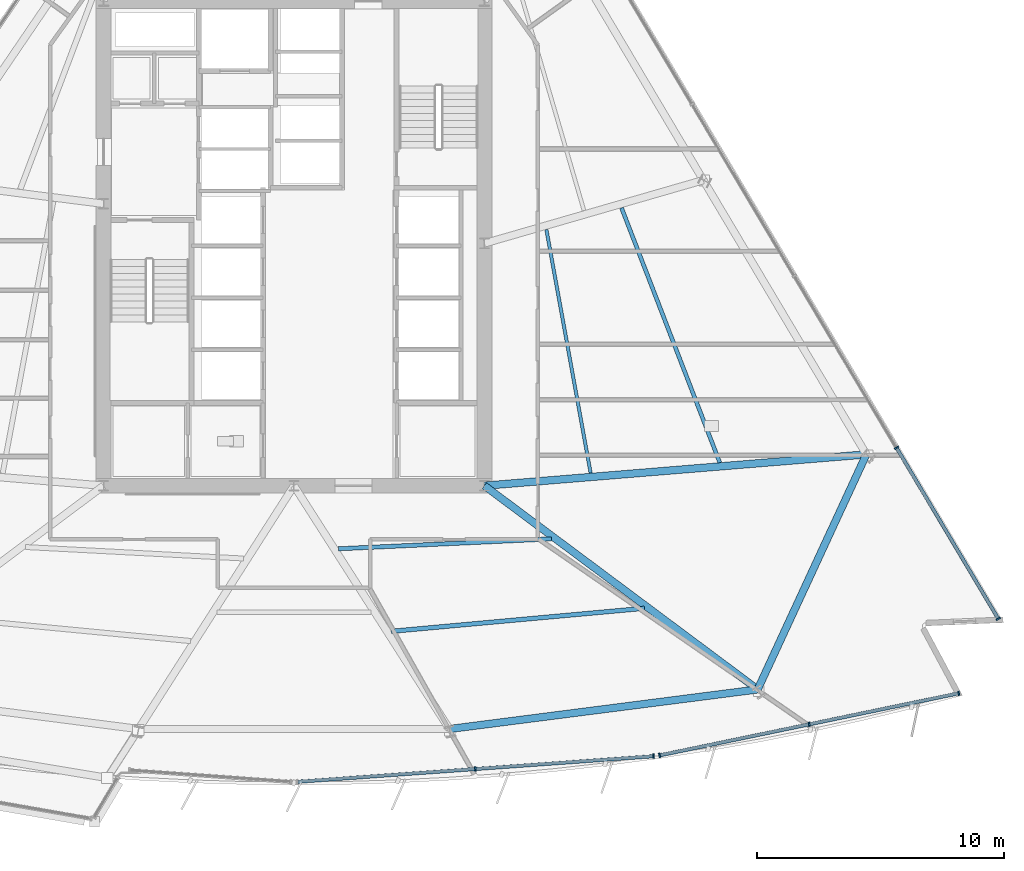
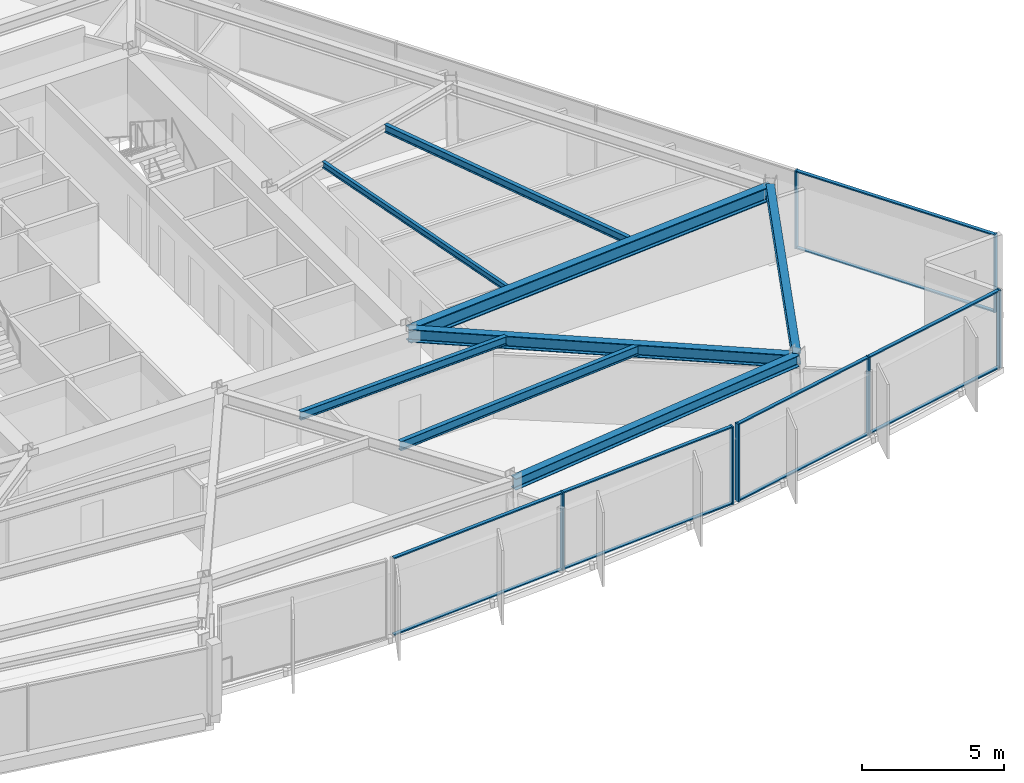
# One storey, part 4 of 15: 17 members, 8 beams, 3 elements without a shape of their own.
"""IFC4 building model written with IfcOpenShell, lengths in metres."""

from ifc_helpers import new_model, si_unit, direction, frame, origin, origin_2d, place, context, subcontext, project, spatial, rectangle, i_section, extrude, material, material_profile, profile_set, type_object, element, aggregate, save


model = new_model("IFC4")

# Units and contexts
model_context = context("Model", 3, precision=1e-05, world=origin(), true_north=direction((0.0, 1.0)))
body_context = subcontext(model_context, "Body", "Model", "MODEL_VIEW")
ifc_project = project(units=[si_unit("LENGTHUNIT", "METRE"), si_unit("AREAUNIT", "SQUARE_METRE"), si_unit("VOLUMEUNIT", "CUBIC_METRE"), si_unit("PLANEANGLEUNIT", "RADIAN"), si_unit("MASSUNIT", "GRAM", prefix="KILO")], contexts=[model_context])

# Site, building, storey
site_placement = place(None, origin())
site = spatial("IfcSite", under=ifc_project, at=site_placement, CompositionType="ELEMENT")
building_placement = place(site_placement, origin())
building = spatial("IfcBuilding", under=site, at=building_placement, Name="Savorim Split Tower", CompositionType="ELEMENT")
storey_placement = place(building_placement, frame((0.0, 0.0, 104.10009765625)))
storey = spatial("IfcBuildingStorey", under=building, at=storey_placement, Name="L27", CompositionType="ELEMENT", Elevation=104.10009765625)

# Beams
ifc_material_1 = material(Name="Steel S355", Category="steel")
ifc_material_profile_1 = material_profile(ifc_material_1, i_section(OverallWidth=0.135009765625, OverallDepth=0.27001953125, WebThickness=0.006591796875, FlangeThickness=0.01025390625, FilletRadius=0.014892578125, at=origin_2d()), Name="IPE 270")
ifc_profile_set_1 = profile_set([ifc_material_profile_1], Name="Steel S355")
beam_type_1 = type_object("IfcBeamType", Name="BM-JST-IPE270", PredefinedType="JOIST", material=ifc_profile_set_1)
beam_1_placement = place(storey_placement, frame((11.99658203125, -8.887939453125, 3.21484375), z_axis=(-0.178812449052, 0.983883178057, 0.0), x_axis=(-0.983883178057, -0.178812449052, 0.0)))
element("IfcBeam", 1, at=beam_1_placement, inside=storey, type_object=beam_type_1, Name="L27 Secondary Floor Joist JS-08", PredefinedType="JOIST", context=body_context, shape_type="SweptSolid", body=[
    extrude(i_section(OverallWidth=0.135009765625, OverallDepth=0.27001953125, WebThickness=0.006591796875, FlangeThickness=0.01025390625, FilletRadius=0.014892578125, at=origin_2d()), origin(), (0.0, 0.0, 1.0), 10.008056640625),
])
ifc_material_profile_2 = material_profile(ifc_material_1, i_section(OverallWidth=0.159912109375, OverallDepth=0.330078125, WebThickness=0.007568359375, FlangeThickness=0.011474609375, FilletRadius=0.01806640625, at=origin_2d()), Name="IPE 330")
ifc_profile_set_2 = profile_set([ifc_material_profile_2], Name="Steel S355")
beam_type_2 = type_object("IfcBeamType", Name="BM-JST-IPE330", PredefinedType="JOIST", material=ifc_profile_set_2)
beam_2_placement = place(storey_placement, frame((17.219482421875, -8.465576171875, 3.184814453125), z_axis=(-0.359891590065, 0.932994128278, 0.0), x_axis=(-0.932994128278, -0.359891590065, 0.0)))
element("IfcBeam", 2, at=beam_2_placement, inside=storey, type_object=beam_type_2, Name="L27 Secondary Floor Joist JS-06", PredefinedType="JOIST", context=body_context, shape_type="SweptSolid", body=[
    extrude(i_section(OverallWidth=0.159912109375, OverallDepth=0.330078125, WebThickness=0.007568359375, FlangeThickness=0.011474609375, FilletRadius=0.01806640625, at=origin_2d()), origin(), (0.0, 0.0, 1.0), 11.0419921875),
])
ifc_material_profile_3 = material_profile(ifc_material_1, i_section(OverallWidth=0.169921875, OverallDepth=0.360107421875, WebThickness=0.008056640625, FlangeThickness=0.0126953125, FilletRadius=0.01806640625, at=origin_2d()), Name="IPE 360")
ifc_profile_set_3 = profile_set([ifc_material_profile_3], Name="Steel S355")
beam_type_3 = type_object("IfcBeamType", Name="BM-JST-IPE360", PredefinedType="JOIST", material=ifc_profile_set_3)
beam_3_placement = place(storey_placement, frame((1.793701171875, -11.95068359375, 3.169921875), z_axis=(0.998917702895, 0.046512609498, 0.0), x_axis=(-0.046512609498, 0.998917702895, 0.0)))
element("IfcBeam", 3, at=beam_3_placement, inside=storey, type_object=beam_type_3, Name="L27 Secondary Floor Joist JS-05", PredefinedType="JOIST", context=body_context, shape_type="SweptSolid", body=[
    extrude(i_section(OverallWidth=0.169921875, OverallDepth=0.360107421875, WebThickness=0.008056640625, FlangeThickness=0.0126953125, FilletRadius=0.01806640625, at=origin_2d()), origin(), (0.0, 0.0, 1.0), 8.629150390625),
])
ifc_material_profile_4 = material_profile(ifc_material_1, i_section(OverallWidth=0.179931640625, OverallDepth=0.39990234375, WebThickness=0.008544921875, FlangeThickness=0.013427734375, FilletRadius=0.02099609375, at=origin_2d()), Name="IPE 400")
ifc_profile_set_4 = profile_set([ifc_material_profile_4], Name="Steel S355")
beam_type_4 = type_object("IfcBeamType", Name="BM-JST-IPE400", PredefinedType="JOIST", material=ifc_profile_set_4)
beam_4_placement = place(storey_placement, frame((3.929931640625, -15.288818359375, 3.14990234375), z_axis=(0.995887950758, 0.090593540253, 0.0), x_axis=(-0.090593540253, 0.995887950758, 0.0)))
element("IfcBeam", 4, at=beam_4_placement, inside=storey, type_object=beam_type_4, Name="L27 Secondary Floor Joist JS-04", PredefinedType="JOIST", context=body_context, shape_type="SweptSolid", body=[
    extrude(i_section(OverallWidth=0.179931640625, OverallDepth=0.39990234375, WebThickness=0.008544921875, FlangeThickness=0.013427734375, FilletRadius=0.02099609375, at=origin_2d()), origin(), (0.0, 0.0, 1.0), 10.28369140625),
])
ifc_material_profile_5 = material_profile(ifc_material_1, i_section(OverallWidth=0.300048828125, OverallDepth=0.550048828125, WebThickness=0.014892578125, FlangeThickness=0.029052734375, FilletRadius=0.027099609375, at=origin_2d()), Name="HEB 550")
ifc_profile_set_5 = profile_set([ifc_material_profile_5], Name="Steel S355")
beam_type_5 = type_object("IfcBeamType", Name="BM-PRI-HEB550", PredefinedType="BEAM", material=ifc_profile_set_5)
beam_5_placement = place(storey_placement, frame((18.751220703125, -17.637939453125, 3.074951171875), z_axis=(-0.801752190532, 0.597656611256, 0.0), x_axis=(-0.597656611256, -0.801752190532, 0.0)))
element("IfcBeam", 5, at=beam_5_placement, inside=storey, type_object=beam_type_5, Name="L27 Primary Floor Girder RG-04", PredefinedType="BEAM", context=body_context, shape_type="SweptSolid", body=[
    extrude(i_section(OverallWidth=0.300048828125, OverallDepth=0.550048828125, WebThickness=0.014892578125, FlangeThickness=0.029052734375, FilletRadius=0.027099609375, at=origin_2d()), origin(), (0.0, 0.0, 1.0), 13.783935546875),
])
ifc_material_2 = material(Name="Steel S460", Category="steel")
ifc_material_profile_6 = material_profile(ifc_material_2, i_section(OverallWidth=0.304931640625, OverallDepth=0.6201171875, WebThickness=0.02099609375, FlangeThickness=0.0400390625, FilletRadius=0.027099609375, at=origin_2d()), Name="HE 600 M")
ifc_profile_set_6 = profile_set([ifc_material_profile_6], Name="Steel S460")
beam_type_6 = type_object("IfcBeamType", Name="BM-PRI-HEM600", PredefinedType="BEAM", material=ifc_profile_set_6)
beam_6_placement = place(storey_placement, frame((23.146728515625, -8.1337890625, 3.039794921875), z_axis=(-0.996657605335, -0.081692213391, 0.0), x_axis=(0.081692213391, -0.996657605335, 0.0)))
element("IfcBeam", 6, at=beam_6_placement, inside=storey, type_object=beam_type_6, Name="L27 Primary Floor Girder RG-05", PredefinedType="BEAM", context=body_context, shape_type="SweptSolid", body=[
    extrude(i_section(OverallWidth=0.304931640625, OverallDepth=0.6201171875, WebThickness=0.02099609375, FlangeThickness=0.0400390625, FilletRadius=0.027099609375, at=origin_2d()), origin(), (0.0, 0.0, 1.0), 15.49853515625),
])
ifc_material_profile_7 = material_profile(ifc_material_1, i_section(OverallWidth=0.300048828125, OverallDepth=0.489990234375, WebThickness=0.011962890625, FlangeThickness=0.02294921875, FilletRadius=0.027099609375, at=origin_2d()), Name="HEA 500")
ifc_profile_set_7 = profile_set([ifc_material_profile_7], Name="Steel S355")
beam_type_7 = type_object("IfcBeamType", Name="BM-SPN-HEA500", PredefinedType="SPANDREL", material=ifc_profile_set_7)
beam_7_placement = place(storey_placement, frame((6.284423828125, -19.238525390625, 3.10498046875), z_axis=(0.991858782297, 0.127342671486, 0.0), x_axis=(-0.127342671486, 0.991858782297, 0.0)))
element("IfcBeam", 7, at=beam_7_placement, inside=storey, type_object=beam_type_7, Name="L27 Perimeter Spandrel Beam 3", PredefinedType="SPANDREL", context=body_context, shape_type="SweptSolid", body=[
    extrude(i_section(OverallWidth=0.300048828125, OverallDepth=0.489990234375, WebThickness=0.011962890625, FlangeThickness=0.02294921875, FilletRadius=0.027099609375, at=origin_2d()), origin(), (0.0, 0.0, 1.0), 12.569091796875),
])
beam_8_placement = place(storey_placement, frame((18.751220703125, -17.637939453125, 3.10498046875), z_axis=(0.419764781907, 0.907632925731, 0.0), x_axis=(-0.907632925731, 0.419764781907, 0.0)))
element("IfcBeam", 8, at=beam_8_placement, inside=storey, type_object=beam_type_7, Name="L27 Perimeter Spandrel Beam 4", PredefinedType="SPANDREL", context=body_context, shape_type="SweptSolid", body=[
    extrude(i_section(OverallWidth=0.300048828125, OverallDepth=0.489990234375, WebThickness=0.011962890625, FlangeThickness=0.02294921875, FilletRadius=0.027099609375, at=origin_2d()), origin(), (0.0, 0.0, 1.0), 10.471435546875),
])

# Curtain wall, members
ifc_material_3 = material(Name="Dark Ceramic-Fritted Insulated Glass", Category="glass")
curtain_wall_type = type_object("IfcCurtainWallType", Name="CW-TWR-FRIT-A", PredefinedType="NOTDEFINED", material=ifc_material_3)
curtain_wall_1_placement = place(storey_placement, origin())
curtain_wall_1 = element("IfcCurtainWall", 9, at=curtain_wall_1_placement, inside=storey, type_object=curtain_wall_type, Name="L27 Curtain Wall CW-L27-SF3A", PredefinedType="NOTDEFINED")
ifc_material_4 = material(Name="Charcoal Anodised Aluminium", Category="aluminium")
ifc_material_profile_8 = material_profile(ifc_material_4, rectangle(XDim=0.179931640625, YDim=0.06494140625, at=origin_2d()), Name="ALU-M 180x65")
ifc_profile_set_8 = profile_set([ifc_material_profile_8], Name="Charcoal Anodised Aluminium")
member_type_1 = type_object("IfcMemberType", Name="CWM-180x65", PredefinedType="MULLION", material=ifc_profile_set_8)
member_1_placement = place(storey_placement, frame((7.33203125, -20.8544921875, 0.0), z_axis=(0.0, 0.0, 1.0), x_axis=(-0.071562268211, 0.99743613418, 0.0)))
member_1 = element("IfcMember", 10, at=member_1_placement, type_object=member_type_1, Name="CW-02 mullion 2", PredefinedType="MULLION", context=body_context, shape_type="SweptSolid", body=[
    extrude(rectangle(XDim=0.179931640625, YDim=0.06494140625, at=origin_2d()), origin(), (0.0, 0.0, 1.0), 3.349853515625),
])
member_2_placement = place(storey_placement, frame((14.540283203125, -20.33740234375, 0.0), z_axis=(0.0, 0.0, 1.0), x_axis=(-0.071562268211, 0.99743613418, 0.0)))
member_2 = element("IfcMember", 11, at=member_2_placement, type_object=member_type_1, Name="CW-02 mullion 3", PredefinedType="MULLION", context=body_context, shape_type="SweptSolid", body=[
    extrude(rectangle(XDim=0.179931640625, YDim=0.06494140625, at=origin_2d()), origin(), (0.0, 0.0, 1.0), 3.349853515625),
])

curtain_wall_2_placement = place(storey_placement, origin())
curtain_wall_2 = element("IfcCurtainWall", 12, at=curtain_wall_2_placement, inside=storey, type_object=curtain_wall_type, Name="L27 Curtain Wall CW-L27-SF4A", PredefinedType="NOTDEFINED")
member_3_placement = place(storey_placement, frame((14.786376953125, -20.302978515625, 0.0), z_axis=(0.0, 0.0, 1.0), x_axis=(-0.203212378529, 0.979134683898, 0.0)))
member_3 = element("IfcMember", 13, at=member_3_placement, type_object=member_type_1, Name="CW-02 mullion 1", PredefinedType="MULLION", context=body_context, shape_type="SweptSolid", body=[
    extrude(rectangle(XDim=0.179931640625, YDim=0.06494140625, at=origin_2d()), origin(), (0.0, 0.0, 1.0), 3.349853515625),
])
member_4_placement = place(storey_placement, frame((20.83447265625, -19.0478515625, 0.0), z_axis=(0.0, 0.0, 1.0), x_axis=(-0.203212378529, 0.979134683898, 0.0)))
member_4 = element("IfcMember", 14, at=member_4_placement, type_object=member_type_1, Name="CW-02 mullion 2", PredefinedType="MULLION", context=body_context, shape_type="SweptSolid", body=[
    extrude(rectangle(XDim=0.179931640625, YDim=0.06494140625, at=origin_2d()), origin(), (0.0, 0.0, 1.0), 3.349853515625),
])
member_5_placement = place(storey_placement, frame((26.882568359375, -17.792724609375, 0.0), z_axis=(0.0, 0.0, 1.0), x_axis=(-0.203212378529, 0.979134683898, 0.0)))
member_5 = element("IfcMember", 15, at=member_5_placement, type_object=member_type_1, Name="CW-02 mullion 3", PredefinedType="MULLION", context=body_context, shape_type="SweptSolid", body=[
    extrude(rectangle(XDim=0.179931640625, YDim=0.06494140625, at=origin_2d()), origin(), (0.0, 0.0, 1.0), 3.349853515625),
])

curtain_wall_3_placement = place(storey_placement, origin())
curtain_wall_3 = element("IfcCurtainWall", 16, at=curtain_wall_3_placement, inside=storey, type_object=curtain_wall_type, Name="L27 Curtain Wall CW-L27-EAST", PredefinedType="NOTDEFINED")
member_6_placement = place(storey_placement, frame((28.480224609375, -14.78173828125, 0.0), z_axis=(0.0, 0.0, 1.0), x_axis=(-0.859524537852, -0.511094481315, 0.0)))
member_6 = element("IfcMember", 17, at=member_6_placement, type_object=member_type_1, Name="CW-02 mullion 1", PredefinedType="MULLION", context=body_context, shape_type="SweptSolid", body=[
    extrude(rectangle(XDim=0.179931640625, YDim=0.06494140625, at=origin_2d()), origin(), (0.0, 0.0, 1.0), 3.349853515625),
])
member_7_placement = place(storey_placement, frame((24.36669921875, -7.864013671875, 0.0), z_axis=(0.0, 0.0, 1.0), x_axis=(-0.859524537852, -0.511094481315, 0.0)))
member_7 = element("IfcMember", 18, at=member_7_placement, type_object=member_type_1, Name="CW-02 mullion 2", PredefinedType="MULLION", context=body_context, shape_type="SweptSolid", body=[
    extrude(rectangle(XDim=0.179931640625, YDim=0.06494140625, at=origin_2d()), origin(), (0.0, 0.0, 1.0), 3.349853515625),
])

# Member
ifc_material_profile_9 = material_profile(ifc_material_4, rectangle(XDim=0.139892578125, YDim=0.054931640625, at=origin_2d()), Name="ALU-T 140x55")
ifc_profile_set_9 = profile_set([ifc_material_profile_9], Name="Charcoal Anodised Aluminium")
member_type_2 = type_object("IfcMemberType", Name="CWT-140x55", PredefinedType="USERDEFINED", material=ifc_profile_set_9)
member_8_placement = place(storey_placement, frame((0.156005859375, -21.369384765625, 0.02734375), z_axis=(0.997436850168, 0.071552288055, 0.0), x_axis=(-0.071552288055, 0.997436850168, 0.0)))
member_8 = element("IfcMember", 19, at=member_8_placement, type_object=member_type_2, Name="CW-02 transom 1.1", ObjectType="TRANSOM", PredefinedType="USERDEFINED", context=body_context, shape_type="SweptSolid", body=[
    extrude(rectangle(XDim=0.139892578125, YDim=0.054931640625, at=origin_2d()), origin(), (0.0, 0.0, 1.0), 7.161865234375),
])

member_9_placement = place(storey_placement, frame((0.156005859375, -21.369384765625, 3.322509765625), z_axis=(0.997436850168, 0.071552288055, 0.0), x_axis=(-0.071552288055, 0.997436850168, 0.0)))
member_9 = element("IfcMember", 20, at=member_9_placement, type_object=member_type_2, Name="CW-02 transom 1.2", ObjectType="TRANSOM", PredefinedType="USERDEFINED", context=body_context, shape_type="SweptSolid", body=[
    extrude(rectangle(XDim=0.139892578125, YDim=0.054931640625, at=origin_2d()), origin(), (0.0, 0.0, 1.0), 7.161865234375),
])

member_10_placement = place(storey_placement, frame((7.364501953125, -20.852294921875, 0.02734375), z_axis=(0.997434416722, 0.071586202157, 0.0), x_axis=(-0.071586202157, 0.997434416722, 0.0)))
member_10 = element("IfcMember", 21, at=member_10_placement, type_object=member_type_2, Name="CW-02 transom 2.1", ObjectType="TRANSOM", PredefinedType="USERDEFINED", context=body_context, shape_type="SweptSolid", body=[
    extrude(rectangle(XDim=0.139892578125, YDim=0.054931640625, at=origin_2d()), origin(), (0.0, 0.0, 1.0), 7.161865234375),
])

member_11_placement = place(storey_placement, frame((7.364501953125, -20.852294921875, 3.322509765625), z_axis=(0.997434416722, 0.071586202157, 0.0), x_axis=(-0.071586202157, 0.997434416722, 0.0)))
member_11 = element("IfcMember", 22, at=member_11_placement, type_object=member_type_2, Name="CW-02 transom 2.2", ObjectType="TRANSOM", PredefinedType="USERDEFINED", context=body_context, shape_type="SweptSolid", body=[
    extrude(rectangle(XDim=0.139892578125, YDim=0.054931640625, at=origin_2d()), origin(), (0.0, 0.0, 1.0), 7.161865234375),
])

aggregate(curtain_wall_1, [member_1, member_2, member_8, member_9, member_10, member_11])

member_12_placement = place(storey_placement, frame((14.818359375, -20.29638671875, 0.02734375), z_axis=(0.979136986613, 0.203201283082, 0.0), x_axis=(-0.203201283082, 0.979136986613, 0.0)))
member_12 = element("IfcMember", 23, at=member_12_placement, type_object=member_type_2, Name="CW-02 transom 1.1", ObjectType="TRANSOM", PredefinedType="USERDEFINED", context=body_context, shape_type="SweptSolid", body=[
    extrude(rectangle(XDim=0.139892578125, YDim=0.054931640625, at=origin_2d()), origin(), (0.0, 0.0, 1.0), 6.11181640625),
])

member_13_placement = place(storey_placement, frame((14.818359375, -20.29638671875, 3.322509765625), z_axis=(0.979136986613, 0.203201283082, 0.0), x_axis=(-0.203201283082, 0.979136986613, 0.0)))
member_13 = element("IfcMember", 24, at=member_13_placement, type_object=member_type_2, Name="CW-02 transom 1.2", ObjectType="TRANSOM", PredefinedType="USERDEFINED", context=body_context, shape_type="SweptSolid", body=[
    extrude(rectangle(XDim=0.139892578125, YDim=0.054931640625, at=origin_2d()), origin(), (0.0, 0.0, 1.0), 6.11181640625),
])

member_14_placement = place(storey_placement, frame((20.866455078125, -19.041259765625, 0.02734375), z_axis=(0.979136986613, 0.203201283082, 0.0), x_axis=(-0.203201283082, 0.979136986613, 0.0)))
member_14 = element("IfcMember", 25, at=member_14_placement, type_object=member_type_2, Name="CW-02 transom 2.1", ObjectType="TRANSOM", PredefinedType="USERDEFINED", context=body_context, shape_type="SweptSolid", body=[
    extrude(rectangle(XDim=0.139892578125, YDim=0.054931640625, at=origin_2d()), origin(), (0.0, 0.0, 1.0), 6.11181640625),
])

member_15_placement = place(storey_placement, frame((20.866455078125, -19.041259765625, 3.322509765625), z_axis=(0.979136986613, 0.203201283082, 0.0), x_axis=(-0.203201283082, 0.979136986613, 0.0)))
member_15 = element("IfcMember", 26, at=member_15_placement, type_object=member_type_2, Name="CW-02 transom 2.2", ObjectType="TRANSOM", PredefinedType="USERDEFINED", context=body_context, shape_type="SweptSolid", body=[
    extrude(rectangle(XDim=0.139892578125, YDim=0.054931640625, at=origin_2d()), origin(), (0.0, 0.0, 1.0), 6.11181640625),
])

aggregate(curtain_wall_2, [member_3, member_4, member_5, member_12, member_13, member_14, member_15])

member_16_placement = place(storey_placement, frame((28.463623046875, -14.753662109375, 0.02734375), z_axis=(-0.511105313723, 0.859518096542, 0.0), x_axis=(-0.859518096542, -0.511105313723, 0.0)))
member_16 = element("IfcMember", 27, at=member_16_placement, type_object=member_type_2, Name="CW-02 transom 1.1", ObjectType="TRANSOM", PredefinedType="USERDEFINED", context=body_context, shape_type="SweptSolid", body=[
    extrude(rectangle(XDim=0.139892578125, YDim=0.054931640625, at=origin_2d()), origin(), (0.0, 0.0, 1.0), 7.9833984375),
])

member_17_placement = place(storey_placement, frame((28.463623046875, -14.753662109375, 3.322509765625), z_axis=(-0.511105313723, 0.859518096542, 0.0), x_axis=(-0.859518096542, -0.511105313723, 0.0)))
member_17 = element("IfcMember", 28, at=member_17_placement, type_object=member_type_2, Name="CW-02 transom 1.2", ObjectType="TRANSOM", PredefinedType="USERDEFINED", context=body_context, shape_type="SweptSolid", body=[
    extrude(rectangle(XDim=0.139892578125, YDim=0.054931640625, at=origin_2d()), origin(), (0.0, 0.0, 1.0), 7.9833984375),
])

aggregate(curtain_wall_3, [member_6, member_7, member_16, member_17])

save(model, "model.ifc")
